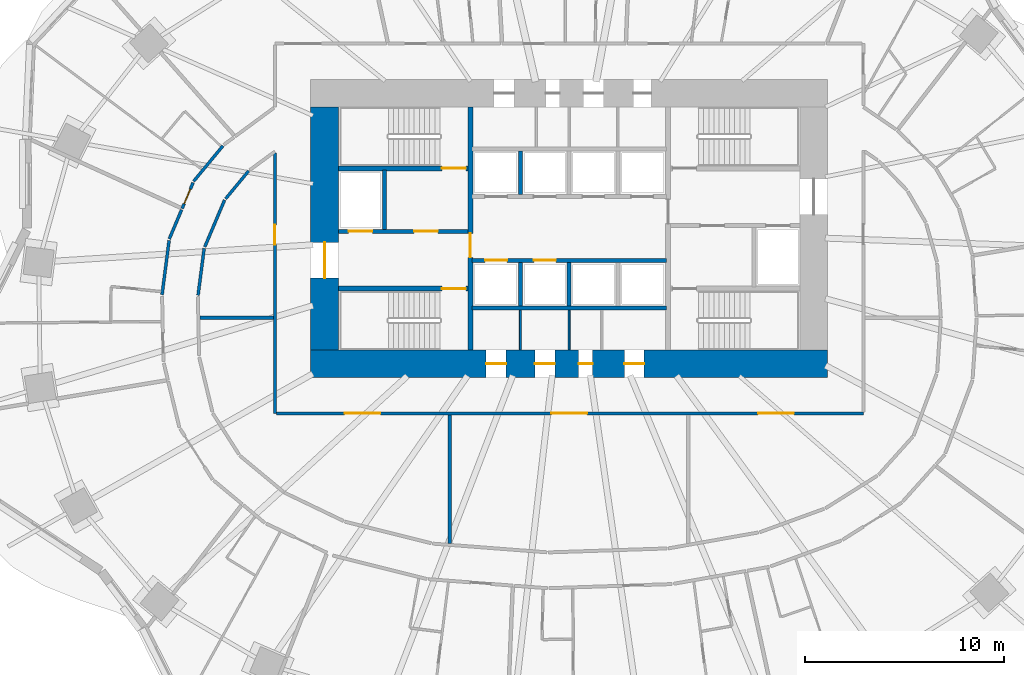
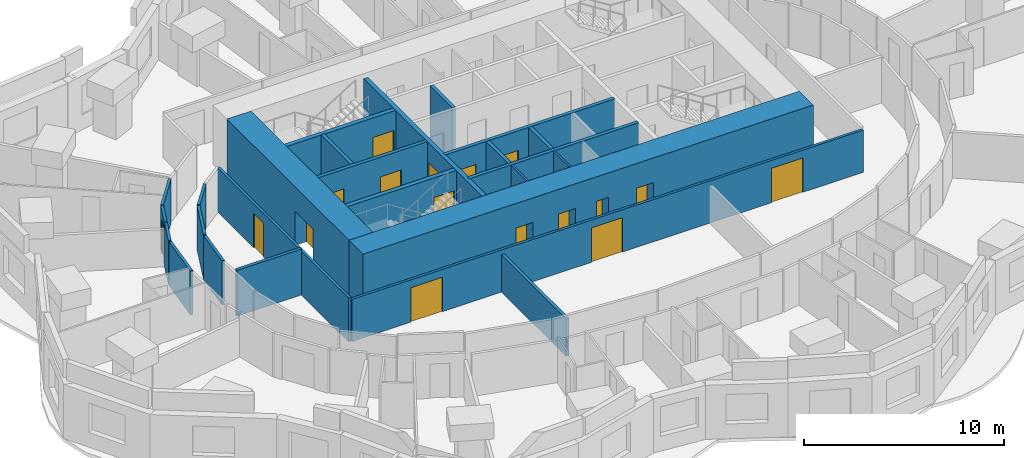
# One storey, part 5 of 12: 25 walls, 17 doors, 17 openings.
"""IFC4 building model written with IfcOpenShell, lengths in metres."""

import ifcopenshell
import ifcopenshell.guid

model = None  # the IFC model being written
_history = None  # IfcOwnerHistory: only IFC2X3 demands one
_inside = {}  # id of a spatial element -> (the spatial element, [elements in it])
_under = {}  # id of a project, library or spatial element -> (it, [spatial elements below it])
_declared = {}  # id of a project -> (the project, [libraries it declares])
_typed = {}  # id of a type object -> (the type object, [elements of that type])
_made_of = {}  # id of a material, layer set ... -> (it, [elements and type objects made of it])


def new_model(schema):
    """Start an empty IFC model of exactly this schema.

    Asked for "IFC4X3", IfcOpenShell would pick the latest addendum, in which some entities
    have other attributes; the version numbers below select the first issue.
    IFC2X3 requires an IfcOwnerHistory on every rooted entity: one is made here for all.
    """
    global model, _history
    if schema == "IFC4X3":
        model = ifcopenshell.file(schema_version=(4, 3, 0, 0))
    else:
        model = ifcopenshell.file(schema=schema)
    _inside.clear()
    _under.clear()
    _declared.clear()
    _typed.clear()
    _made_of.clear()
    _history = None
    if model.schema == "IFC2X3":
        org = make("IfcOrganization", Name="unknown")
        user = make(
            "IfcPersonAndOrganization",
            ThePerson=make("IfcPerson", FamilyName="unknown"),
            TheOrganization=org,
        )
        app = make(
            "IfcApplication",
            ApplicationDeveloper=org,
            Version="unknown",
            ApplicationFullName="unknown",
            ApplicationIdentifier="unknown",
        )
        _history = make(
            "IfcOwnerHistory",
            OwningUser=user,
            OwningApplication=app,
            ChangeAction="ADDED",
            CreationDate=0,
        )
    return model


def make(cls, **values):
    """One entity of the class cls with the attributes given. An attribute that is None is left unset."""
    return model.create_entity(
        cls, **{name: value for name, value in values.items() if value is not None}
    )


def rooted(cls, **values):
    """An entity with a GlobalId (a new one), such as an element, a storey or a relation."""
    return make(cls, GlobalId=ifcopenshell.guid.new(), OwnerHistory=_history, **values)


def si_unit(unit_type, name, prefix=None):
    """IfcSIUnit, for example si_unit("LENGTHUNIT", "METRE", prefix="MILLI")."""
    return make("IfcSIUnit", UnitType=unit_type, Prefix=prefix, Name=name)


def assignment(units):
    """IfcUnitAssignment: the units of a project."""
    return None if units is None else make("IfcUnitAssignment", Units=units)


def point(xyz):
    """IfcCartesianPoint."""
    return None if xyz is None else make("IfcCartesianPoint", Coordinates=xyz)


def direction(xyz):
    """IfcDirection."""
    return None if xyz is None else make("IfcDirection", DirectionRatios=xyz)


def frame(location, z_axis=None, x_axis=None):
    """IfcAxis2Placement3D, a coordinate frame: its origin and axes. An axis left out is left unset."""
    return make(
        "IfcAxis2Placement3D",
        Location=point(location),
        Axis=direction(z_axis),
        RefDirection=direction(x_axis),
    )


def frame_2d(location, x_axis=None):
    """IfcAxis2Placement2D, a coordinate frame in the plane: its origin and x axis."""
    return make(
        "IfcAxis2Placement2D", Location=point(location), RefDirection=direction(x_axis)
    )


def origin():
    """The frame at (0, 0, 0) with its axes left unset."""
    return frame((0.0, 0.0, 0.0))


def place(relative_to, where):
    """IfcLocalPlacement: puts the frame where relative to a parent placement (None: the world)."""
    return make(
        "IfcLocalPlacement", PlacementRelTo=relative_to, RelativePlacement=where
    )


def context(
    kind, dimensions, precision=None, world=None, true_north=None, identifier=None
):
    """IfcGeometricRepresentationContext, for example the 3D "Model" context."""
    return make(
        "IfcGeometricRepresentationContext",
        ContextIdentifier=identifier,
        ContextType=kind,
        CoordinateSpaceDimension=dimensions,
        Precision=precision,
        WorldCoordinateSystem=world,
        TrueNorth=true_north,
    )


def subcontext(parent, identifier, kind, view, scale=None):
    """IfcGeometricRepresentationSubContext, for example "Body" below "Model"."""
    return make(
        "IfcGeometricRepresentationSubContext",
        ContextIdentifier=identifier,
        ContextType=kind,
        ParentContext=parent,
        TargetScale=scale,
        TargetView=view,
    )


def project(units=None, contexts=None):
    """IfcProject with its units and contexts."""
    return rooted(
        "IfcProject",
        Name="project",
        RepresentationContexts=contexts,
        UnitsInContext=assignment(units),
    )


def spatial(cls, under=None, at=None, **own):
    """A site, building, storey or space (cls), placed at a placement, below another one or the project."""
    s = rooted(cls, ObjectPlacement=at, **own)
    if under is not None:
        _under.setdefault(under.id(), (under, []))[1].append(s)
    return s


def profile(cls, at=None, kind="AREA", **sizes):
    """A parametric profile (cls). Its sizes go by their IFC names, for example OverallWidth=200.0."""
    return make(cls, ProfileType=kind, Position=at, **sizes)


def rectangle(**sizes):
    """IfcRectangleProfileDef."""
    return profile("IfcRectangleProfileDef", **sizes)


def extrude(swept, where, along, depth):
    """IfcExtrudedAreaSolid: the profile swept, set in the frame where, extruded along a direction by depth."""
    return make(
        "IfcExtrudedAreaSolid",
        SweptArea=swept,
        Position=where,
        ExtrudedDirection=direction(along),
        Depth=depth,
    )


def shape(context_of_items, identifier, shape_type, items):
    """IfcShapeRepresentation: the items that make up one representation, for example the "Body"."""
    return make(
        "IfcShapeRepresentation",
        ContextOfItems=context_of_items,
        RepresentationIdentifier=identifier,
        RepresentationType=shape_type,
        Items=items,
    )


def material(Name=None, Category=None):
    """IfcMaterial."""
    return make("IfcMaterial", Name=Name, Category=Category)


def layer(
    of_material, thickness, ventilated=None, Name=None, Category=None, Priority=None
):
    """IfcMaterialLayer: one layer of a wall or slab, of a material (None: an air gap)."""
    return make(
        "IfcMaterialLayer",
        Material=of_material,
        LayerThickness=thickness,
        IsVentilated=ventilated,
        Name=Name,
        Category=Category,
        Priority=Priority,
    )


def layer_set(layers, Name=None):
    """IfcMaterialLayerSet."""
    return make("IfcMaterialLayerSet", MaterialLayers=layers, LayerSetName=Name)


def made_of(thing, what):
    """Note that an element or type object is made of a material, layer set ...; save() writes the relation."""
    if what is not None:
        _made_of.setdefault(what.id(), (what, []))[1].append(thing)
    return thing


def type_object(cls, material=None, **own):
    """A type object (cls), such as IfcWallType, which elements share."""
    return made_of(rooted(cls, **own), material)


def element(
    cls,
    number,
    at=None,
    inside=None,
    cuts=None,
    type_object=None,
    material=None,
    context=None,
    identifier="Body",
    shape_type=None,
    held_by="IfcProductDefinitionShape",
    body=None,
    shapes=None,
    **own,
):
    """One element of the class cls, such as IfcWall. Its Tag is "e" and its number.

    at: its placement. inside: the storey or other place that contains it. cuts: it is an
    opening in that element (IfcRelVoidsElement). A single representation is given by context,
    identifier, shape_type and body (its items); several are given by shapes. held_by: the class
    of the entity that holds the representations. save() writes the other relations.
    """
    e = rooted(cls, Tag="e%d" % number, ObjectPlacement=at, **own)
    if body is not None:
        shapes = [shape(context, identifier, shape_type, body)]
    if shapes is not None:
        e.Representation = make(held_by, Representations=shapes)
    if inside is not None:
        _inside.setdefault(inside.id(), (inside, []))[1].append(e)
    if cuts is not None:
        rooted(
            "IfcRelVoidsElement", RelatingBuildingElement=cuts, RelatedOpeningElement=e
        )
    if type_object is not None:
        _typed.setdefault(type_object.id(), (type_object, []))[1].append(e)
    return made_of(e, material)


def fill(opening, filler):
    """IfcRelFillsElement: the door or window that sits in an opening."""
    return rooted(
        "IfcRelFillsElement",
        RelatingOpeningElement=opening,
        RelatedBuildingElement=filler,
    )


def aggregate(whole, parts):
    """IfcRelAggregates: a whole, such as a stair, and the parts it consists of."""
    return rooted("IfcRelAggregates", RelatingObject=whole, RelatedObjects=parts)


def save(model, path):
    """Write the relations noted so far, then the file.

    IfcRelAggregates (storeys below a building ...), IfcRelContainedInSpatialStructure (elements
    in a storey), IfcRelDefinesByType, IfcRelAssociatesMaterial and IfcRelDeclares: one each for
    every whole, place, type object, material and project.
    """
    for whole, parts in _under.values():
        aggregate(whole, parts)
    for where, things in _inside.values():
        rooted(
            "IfcRelContainedInSpatialStructure",
            RelatedElements=things,
            RelatingStructure=where,
        )
    for kind, things in _typed.values():
        rooted("IfcRelDefinesByType", RelatedObjects=things, RelatingType=kind)
    for what, things in _made_of.values():
        rooted("IfcRelAssociatesMaterial", RelatedObjects=things, RelatingMaterial=what)
    for by, libraries in _declared.values():
        rooted("IfcRelDeclares", RelatingContext=by, RelatedDefinitions=libraries)
    model.write(path)


model = new_model("IFC4")

# Units and contexts
model_context = context("Model", 3, precision=1e-05, world=origin(), true_north=direction((0.0, 1.0)))
body_context = subcontext(model_context, "Body", "Model", "MODEL_VIEW")
ifc_project = project(units=[si_unit("LENGTHUNIT", "METRE"), si_unit("AREAUNIT", "SQUARE_METRE"), si_unit("VOLUMEUNIT", "CUBIC_METRE"), si_unit("PLANEANGLEUNIT", "RADIAN"), si_unit("MASSUNIT", "GRAM", prefix="KILO")], contexts=[model_context])

# Site, building, storey
site_placement = place(None, origin())
site = spatial("IfcSite", under=ifc_project, at=site_placement, CompositionType="ELEMENT")
building_placement = place(site_placement, origin())
building = spatial("IfcBuilding", under=site, at=building_placement, Name="Rubra Terraces Tower", CompositionType="ELEMENT")
storey_placement = place(building_placement, frame((0.0, 0.0, 73.5)))
storey = spatial("IfcBuildingStorey", under=building, at=storey_placement, Name="L16", CompositionType="ELEMENT", Elevation=73.5)

# Walls
ifc_material_1 = material(Name="Twin plasterboard on staggered steel stud, acoustic mineral wool", Category="steel")
ifc_layer_1 = layer(ifc_material_1, 0.175048828125)
ifc_layer_set_1 = layer_set([ifc_layer_1], Name="Twin plasterboard on staggered steel stud, acoustic mineral wool")
wall_type_1 = type_object("IfcWallType", Name="ACOUSTIC PARTY WALL 175", PredefinedType="PARTITIONING", material=ifc_layer_set_1)
wall_1_placement = place(storey_placement, frame((-18.578857421875, 0.0, 0.0), z_axis=(0.0, 0.0, 1.0), x_axis=(1.0, 0.0, 0.0)))
element("IfcWall", 1, at=wall_1_placement, inside=storey, type_object=wall_type_1, Name="PARTITION", PredefinedType="PARTITIONING", context=body_context, shape_type="SweptSolid", body=[
    extrude(rectangle(XDim=3.703857421875, YDim=0.175048828125, at=frame_2d((1.85205078125, 0.0))), origin(), (0.0, 0.0, 1.0), 2.798095703125),
])
ifc_layer_2 = layer(ifc_material_1, 0.175048828125)
ifc_layer_set_2 = layer_set([ifc_layer_2], Name="Twin plasterboard on staggered steel stud, acoustic mineral wool")
wall_type_2 = type_object("IfcWallType", Name="ACOUSTIC PARTY WALL 175 LOW HEAD", PredefinedType="PARTITIONING", material=ifc_layer_set_2)
wall_2_placement = place(storey_placement, frame((-6.0, -11.339599609375, 0.0), z_axis=(0.0, 0.0, 1.0), x_axis=(0.0, 1.0, 0.0)))
element("IfcWall", 2, at=wall_2_placement, inside=storey, type_object=wall_type_2, Name="PARTITION", PredefinedType="PARTITIONING", context=body_context, shape_type="SweptSolid", body=[
    extrude(rectangle(XDim=6.464599609375, YDim=0.175048828125, at=frame_2d((3.232421875, 0.0))), origin(), (0.0, 0.0, 1.0), 2.280029296875),
])

# Wall, openings, doors
ifc_material_2 = material(Name="Concrete C70", Category="concrete")
ifc_layer_3 = layer(ifc_material_2, 1.39990234375)
ifc_layer_set_3 = layer_set([ifc_layer_3], Name="Concrete C70")
wall_type_3 = type_object("IfcWallType", Name="CORE WALL 1400 C70", PredefinedType="SHEAR", material=ifc_layer_set_3)
wall_3_placement = place(storey_placement, frame((-13.0, -2.300048828125, 0.0), z_axis=(0.0, 0.0, 1.0), x_axis=(1.0, 0.0, 0.0)))
wall_3 = element("IfcWall", 3, at=wall_3_placement, inside=storey, type_object=wall_type_3, Name="CORE WALL S L16", PredefinedType="SHEAR", context=body_context, shape_type="SweptSolid", body=[
    extrude(rectangle(XDim=26.0, YDim=1.39990234375, at=frame_2d((13.0, 0.0))), origin(), (0.0, 0.0, 1.0), 3.60009765625),
])
opening_1_placement = place(wall_3_placement, frame((8.824951171875, 0.0, 0.0)))
opening_1 = element("IfcOpeningElement", 4, at=opening_1_placement, cuts=wall_3, Name="Opening L16.C19", PredefinedType="OPENING", context=body_context, shape_type="SweptSolid", body=[
    extrude(rectangle(XDim=1.0, YDim=2.10009765625, at=frame_2d((0.5, 1.050048828125))), frame((0.0, 0.7099609375, 0.0), z_axis=(0.0, -1.0, 0.0), x_axis=(1.0, 0.0, 0.0)), (0.0, 0.0, 1.0), 1.419921875),
])
opening_2_placement = place(wall_3_placement, frame((11.27490234375, 0.0, 0.0)))
opening_2 = element("IfcOpeningElement", 5, at=opening_2_placement, cuts=wall_3, Name="Opening L16.C20", PredefinedType="OPENING", context=body_context, shape_type="SweptSolid", body=[
    extrude(rectangle(XDim=1.0, YDim=2.10009765625, at=frame_2d((0.5, 1.050048828125))), frame((0.0, 0.7099609375, 0.0), z_axis=(0.0, -1.0, 0.0), x_axis=(1.0, 0.0, 0.0)), (0.0, 0.0, 1.0), 1.419921875),
])
opening_3_placement = place(wall_3_placement, frame((13.47509765625, 0.0, 0.0)))
opening_3 = element("IfcOpeningElement", 6, at=opening_3_placement, cuts=wall_3, Name="Opening L16.C21", PredefinedType="OPENING", context=body_context, shape_type="SweptSolid", body=[
    extrude(rectangle(XDim=0.699951171875, YDim=2.10009765625, at=frame_2d((0.35009765625, 1.050048828125))), frame((0.0, 0.7099609375, 0.0), z_axis=(0.0, -1.0, 0.0), x_axis=(1.0, 0.0, 0.0)), (0.0, 0.0, 1.0), 1.419921875),
])
opening_4_placement = place(wall_3_placement, frame((15.77490234375, 0.0, 0.0)))
opening_4 = element("IfcOpeningElement", 7, at=opening_4_placement, cuts=wall_3, Name="Opening L16.C22", PredefinedType="OPENING", context=body_context, shape_type="SweptSolid", body=[
    extrude(rectangle(XDim=1.0, YDim=2.10009765625, at=frame_2d((0.5, 1.050048828125))), frame((0.0, 0.7099609375, 0.0), z_axis=(0.0, -1.0, 0.0), x_axis=(1.0, 0.0, 0.0)), (0.0, 0.0, 1.0), 1.419921875),
])
ifc_material_3 = material(Name="Painted steel", Category="steel")
door_type_1 = type_object("IfcDoorType", Name="Fire door 1000x2100 single", OperationType="NOTDEFINED", PredefinedType="DOOR", material=ifc_material_3)
door_1_placement = place(opening_1_placement, origin())
door_1 = element("IfcDoor", 8, at=door_1_placement, inside=storey, type_object=door_type_1, Name="Guest pantry door", OperationType="SINGLE_SWING_LEFT", OverallHeight=2.10009765625, OverallWidth=1.0, PredefinedType="DOOR", context=body_context, shape_type="SweptSolid", body=[
    extrude(rectangle(XDim=1.0, YDim=2.10009765625, at=frame_2d((0.5, 1.050048828125))), frame((0.0, 0.02490234375, 0.0), z_axis=(0.0, -1.0, 0.0), x_axis=(1.0, 0.0, 0.0)), (0.0, 0.0, 1.0), 0.050048828125),
])
fill(opening_1, door_1)
door_2_placement = place(opening_2_placement, origin())
door_2 = element("IfcDoor", 9, at=door_2_placement, inside=storey, type_object=door_type_1, Name="Linen store door", OperationType="SINGLE_SWING_RIGHT", OverallHeight=2.10009765625, OverallWidth=1.0, PredefinedType="DOOR", context=body_context, shape_type="SweptSolid", body=[
    extrude(rectangle(XDim=1.0, YDim=2.10009765625, at=frame_2d((0.5, 1.050048828125))), frame((0.0, 0.02490234375, 0.0), z_axis=(0.0, -1.0, 0.0), x_axis=(1.0, 0.0, 0.0)), (0.0, 0.0, 1.0), 0.050048828125),
])
fill(opening_2, door_2)
door_3_placement = place(opening_4_placement, origin())
door_3 = element("IfcDoor", 10, at=door_3_placement, inside=storey, type_object=door_type_1, Name="Housekeeping store door", OperationType="SINGLE_SWING_RIGHT", OverallHeight=2.10009765625, OverallWidth=1.0, PredefinedType="DOOR", context=body_context, shape_type="SweptSolid", body=[
    extrude(rectangle(XDim=1.0, YDim=2.10009765625, at=frame_2d((0.5, 1.050048828125))), frame((0.0, 0.02490234375, 0.0), z_axis=(0.0, -1.0, 0.0), x_axis=(1.0, 0.0, 0.0)), (0.0, 0.0, 1.0), 0.050048828125),
])
fill(opening_4, door_3)
door_type_2 = type_object("IfcDoorType", Name="Riser access door 700x2100 single", OperationType="NOTDEFINED", PredefinedType="DOOR", material=ifc_material_3)
door_4_placement = place(opening_3_placement, origin())
door_4 = element("IfcDoor", 11, at=door_4_placement, inside=storey, type_object=door_type_2, Name="Electrical riser room door", OperationType="SINGLE_SWING_LEFT", OverallHeight=2.10009765625, OverallWidth=0.699951171875, PredefinedType="DOOR", context=body_context, shape_type="SweptSolid", body=[
    extrude(rectangle(XDim=0.699951171875, YDim=2.10009765625, at=frame_2d((0.35009765625, 1.050048828125))), frame((0.0, 0.02490234375, 0.0), z_axis=(0.0, -1.0, 0.0), x_axis=(1.0, 0.0, 0.0)), (0.0, 0.0, 1.0), 0.050048828125),
])
fill(opening_3, door_4)

# Wall, opening, door
wall_4_placement = place(storey_placement, frame((-12.300048828125, -1.60009765625, 0.0), z_axis=(0.0, 0.0, 1.0), x_axis=(0.0, 1.0, 0.0)))
wall_4 = element("IfcWall", 12, at=wall_4_placement, inside=storey, type_object=wall_type_3, Name="CORE WALL W L16", PredefinedType="SHEAR", context=body_context, shape_type="SweptSolid", body=[
    extrude(rectangle(XDim=12.2001953125, YDim=1.39990234375, at=frame_2d((6.10009765625, 0.0))), origin(), (0.0, 0.0, 1.0), 3.60009765625),
])
opening_5_placement = place(wall_4_placement, frame((3.60009765625, 0.0, 0.0)))
opening_5 = element("IfcOpeningElement", 13, at=opening_5_placement, cuts=wall_4, Name="Opening L16.C01", PredefinedType="OPENING", context=body_context, shape_type="SweptSolid", body=[
    extrude(rectangle(XDim=1.800048828125, YDim=2.10009765625, at=frame_2d((0.89990234375, 1.050048828125))), frame((0.0, 0.7099609375, 0.0), z_axis=(0.0, -1.0, 0.0), x_axis=(1.0, 0.0, 0.0)), (0.0, 0.0, 1.0), 1.419921875),
])
door_type_3 = type_object("IfcDoorType", Name="Fire door 1800x2100 double", OperationType="NOTDEFINED", PredefinedType="DOOR", material=ifc_material_3)
door_5_placement = place(opening_5_placement, origin())
door_5 = element("IfcDoor", 14, at=door_5_placement, inside=storey, type_object=door_type_3, Name="Core entrance door FF1", OperationType="DOUBLE_DOOR_SINGLE_SWING", OverallHeight=2.10009765625, OverallWidth=1.800048828125, PredefinedType="DOOR", context=body_context, shape_type="SweptSolid", body=[
    extrude(rectangle(XDim=1.800048828125, YDim=2.10009765625, at=frame_2d((0.89990234375, 1.050048828125))), frame((0.0, 0.02490234375, 0.0), z_axis=(0.0, -1.0, 0.0), x_axis=(1.0, 0.0, 0.0)), (0.0, 0.0, 1.0), 0.050048828125),
])
fill(opening_5, door_5)

# Wall
ifc_material_4 = material(Name="Plasterboard on steel stud, mineral wool infill", Category="steel")
ifc_layer_4 = layer(ifc_material_4, 0.14990234375)
ifc_layer_set_4 = layer_set([ifc_layer_4], Name="Plasterboard on steel stud, mineral wool infill")
wall_type_4 = type_object("IfcWallType", Name="CORRIDOR PARTITION 150", PredefinedType="PARTITIONING", material=ifc_layer_set_4)
wall_5_placement = place(storey_placement, frame((-17.416015625, 8.65869140625, 0.0), z_axis=(0.0, 0.0, 1.0), x_axis=(-0.636865073139, -0.770975277564, 0.0)))
element("IfcWall", 15, at=wall_5_placement, inside=storey, type_object=wall_type_4, Name="PARTITION", PredefinedType="PARTITIONING", context=body_context, shape_type="SweptSolid", body=[
    extrude(rectangle(XDim=2.31201171875, YDim=0.14990234375, at=frame_2d((1.156005859375, 0.0))), origin(), (0.0, 0.0, 1.0), 2.68408203125),
])

# Wall, opening, door
wall_6_placement = place(storey_placement, frame((-18.917724609375, 6.80712890625, 0.0), z_axis=(0.0, 0.0, 1.0), x_axis=(-0.389115481404, -0.921188982854, 0.0)))
wall_6 = element("IfcWall", 16, at=wall_6_placement, inside=storey, type_object=wall_type_4, Name="PARTITION", PredefinedType="PARTITIONING", context=body_context, shape_type="SweptSolid", body=[
    extrude(rectangle(XDim=1.412353515625, YDim=0.14990234375, at=frame_2d((0.7060546875, 0.0))), origin(), (0.0, 0.0, 1.0), 2.68408203125),
])
opening_6_placement = place(wall_6_placement, frame((0.35009765625, 0.0, 0.0)))
opening_6 = element("IfcOpeningElement", 17, at=opening_6_placement, cuts=wall_6, Name="Opening 16-145", PredefinedType="OPENING", context=body_context, shape_type="SweptSolid", body=[
    extrude(rectangle(XDim=0.800048828125, YDim=2.10009765625, at=frame_2d((0.39990234375, 1.050048828125))), frame((0.0, 0.0849609375, 0.0), z_axis=(0.0, -1.0, 0.0), x_axis=(1.0, 0.0, 0.0)), (0.0, 0.0, 1.0), 0.169921875),
])
ifc_material_5 = material(Name="Painted timber door leaf", Category="wood")
door_type_4 = type_object("IfcDoorType", Name="BATHROOM DOOR 800 X 2100", OperationType="SINGLE_SWING_LEFT", PredefinedType="DOOR", material=ifc_material_5)
door_6_placement = place(opening_6_placement, origin())
door_6 = element("IfcDoor", 18, at=door_6_placement, inside=storey, type_object=door_type_4, Name="DOOR 16-145", OperationType="SINGLE_SWING_RIGHT", OverallHeight=2.10009765625, OverallWidth=0.800048828125, PredefinedType="DOOR", context=body_context, shape_type="SweptSolid", body=[
    extrude(rectangle(XDim=0.800048828125, YDim=2.10009765625, at=frame_2d((0.39990234375, 1.050048828125))), frame((0.0, 0.02490234375, 0.0), z_axis=(0.0, -1.0, 0.0), x_axis=(1.0, 0.0, 0.0)), (0.0, 0.0, 1.0), 0.050048828125),
])
fill(opening_6, door_6)

# Walls
wall_7_placement = place(storey_placement, frame((-19.49658203125, 5.43701171875, 0.0), z_axis=(0.0, 0.0, 1.0), x_axis=(-0.389131954688, -0.921182024271, 0.0)))
element("IfcWall", 19, at=wall_7_placement, inside=storey, type_object=wall_type_4, Name="PARTITION", PredefinedType="PARTITIONING", context=body_context, shape_type="SweptSolid", body=[
    extrude(rectangle(XDim=1.58349609375, YDim=0.14990234375, at=frame_2d((0.791748046875, 0.0))), origin(), (0.0, 0.0, 1.0), 2.68408203125),
])
wall_8_placement = place(storey_placement, frame((-20.12255859375, 3.90380859375, 0.0), z_axis=(0.0, 0.0, 1.0), x_axis=(-0.128964810526, -0.991649170648, 0.0)))
element("IfcWall", 20, at=wall_8_placement, inside=storey, type_object=wall_type_4, Name="PARTITION", PredefinedType="PARTITIONING", context=body_context, shape_type="SweptSolid", body=[
    extrude(rectangle(XDim=2.760009765625, YDim=0.14990234375, at=frame_2d((1.3798828125, 0.0))), origin(), (0.0, 0.0, 1.0), 2.68408203125),
])
wall_9_placement = place(storey_placement, frame((-18.66650390625, 1.143310546875, 0.0), z_axis=(0.0, 0.0, 1.0), x_axis=(0.128944484332, 0.991651813874, 0.0)))
element("IfcWall", 21, at=wall_9_placement, inside=storey, type_object=wall_type_4, Name="PARTITION", PredefinedType="PARTITIONING", context=body_context, shape_type="SweptSolid", body=[
    extrude(rectangle(XDim=2.3798828125, YDim=0.14990234375, at=frame_2d((1.18994140625, 0.0))), origin(), (0.0, 0.0, 1.0), 2.68408203125),
])
wall_10_placement = place(storey_placement, frame((-18.330322265625, 3.572509765625, 0.0), z_axis=(0.0, 0.0, 1.0), x_axis=(0.389176861346, 0.921163053207, 0.0)))
element("IfcWall", 22, at=wall_10_placement, inside=storey, type_object=wall_type_4, Name="PARTITION", PredefinedType="PARTITIONING", context=body_context, shape_type="SweptSolid", body=[
    extrude(rectangle(XDim=2.562744140625, YDim=0.14990234375, at=frame_2d((1.28125, 0.0))), origin(), (0.0, 0.0, 1.0), 2.68408203125),
])
wall_11_placement = place(storey_placement, frame((-17.28515625, 5.99072265625, 0.0), z_axis=(0.0, 0.0, 1.0), x_axis=(0.636877992195, 0.770964605581, 0.0)))
element("IfcWall", 23, at=wall_11_placement, inside=storey, type_object=wall_type_4, Name="PARTITION", PredefinedType="PARTITIONING", context=body_context, shape_type="SweptSolid", body=[
    extrude(rectangle(XDim=1.826171875, YDim=0.14990234375, at=frame_2d((0.9130859375, 0.0))), origin(), (0.0, 0.0, 1.0), 2.68408203125),
])

# Wall, opening, door
wall_12_placement = place(storey_placement, frame((-14.800048828125, 8.297119140625, 0.0), z_axis=(0.0, 0.0, 1.0), x_axis=(0.0, -1.0, 0.0)))
wall_12 = element("IfcWall", 24, at=wall_12_placement, inside=storey, type_object=wall_type_4, Name="PARTITION", PredefinedType="PARTITIONING", context=body_context, shape_type="SweptSolid", body=[
    extrude(rectangle(XDim=13.09716796875, YDim=0.14990234375, at=frame_2d((6.548583984375, 0.0))), origin(), (0.0, 0.0, 1.0), 2.68408203125),
])
opening_7_placement = place(wall_12_placement, frame((3.611083984375, 0.0, 0.0)))
opening_7 = element("IfcOpeningElement", 25, at=opening_7_placement, cuts=wall_12, Name="Opening 16-140", PredefinedType="OPENING", context=body_context, shape_type="SweptSolid", body=[
    extrude(rectangle(XDim=1.0, YDim=2.10009765625, at=frame_2d((0.5, 1.050048828125))), frame((0.0, 0.0849609375, 0.0), z_axis=(0.0, -1.0, 0.0), x_axis=(1.0, 0.0, 0.0)), (0.0, 0.0, 1.0), 0.169921875),
])
door_type_5 = type_object("IfcDoorType", Name="ROOM DOOR 1000 X 2100", OperationType="SINGLE_SWING_LEFT", PredefinedType="DOOR", material=ifc_material_5)
door_7_placement = place(opening_7_placement, origin())
door_7 = element("IfcDoor", 26, at=door_7_placement, inside=storey, type_object=door_type_5, Name="DOOR 16-140", OperationType="SINGLE_SWING_RIGHT", OverallHeight=2.10009765625, OverallWidth=1.0, PredefinedType="DOOR", context=body_context, shape_type="SweptSolid", body=[
    extrude(rectangle(XDim=1.0, YDim=2.10009765625, at=frame_2d((0.5, 1.050048828125))), frame((0.0, 0.02490234375, 0.0), z_axis=(0.0, -1.0, 0.0), x_axis=(1.0, 0.0, 0.0)), (0.0, 0.0, 1.0), 0.050048828125),
])
fill(opening_7, door_7)

# Wall, openings, doors
ifc_layer_5 = layer(ifc_material_4, 0.14990234375)
ifc_layer_set_5 = layer_set([ifc_layer_5], Name="Plasterboard on steel stud, mineral wool infill")
wall_type_5 = type_object("IfcWallType", Name="CORRIDOR PARTITION 150 LOW HEAD", PredefinedType="PARTITIONING", material=ifc_layer_set_5)
wall_13_placement = place(storey_placement, frame((-14.72509765625, -4.800048828125, 0.0), z_axis=(0.0, 0.0, 1.0), x_axis=(1.0, 0.0, 0.0)))
wall_13 = element("IfcWall", 27, at=wall_13_placement, inside=storey, type_object=wall_type_5, Name="PARTITION", PredefinedType="PARTITIONING", context=body_context, shape_type="SweptSolid", body=[
    extrude(rectangle(XDim=29.525146484375, YDim=0.14990234375, at=frame_2d((14.7626953125, 0.0))), origin(), (0.0, 0.0, 1.0), 2.580078125),
])
opening_8_placement = place(wall_13_placement, frame((3.425048828125, 0.0, 0.0)))
opening_8 = element("IfcOpeningElement", 28, at=opening_8_placement, cuts=wall_13, Name="Opening 16-141", PredefinedType="OPENING", context=body_context, shape_type="SweptSolid", body=[
    extrude(rectangle(XDim=1.800048828125, YDim=2.10009765625, at=frame_2d((0.89990234375, 1.050048828125))), frame((0.0, 0.0849609375, 0.0), z_axis=(0.0, -1.0, 0.0), x_axis=(1.0, 0.0, 0.0)), (0.0, 0.0, 1.0), 0.169921875),
])
opening_9_placement = place(wall_13_placement, frame((13.824951171875, 0.0, 0.0)))
opening_9 = element("IfcOpeningElement", 29, at=opening_9_placement, cuts=wall_13, Name="Opening 16-142", PredefinedType="OPENING", context=body_context, shape_type="SweptSolid", body=[
    extrude(rectangle(XDim=1.800048828125, YDim=2.10009765625, at=frame_2d((0.89990234375, 1.050048828125))), frame((0.0, 0.0849609375, 0.0), z_axis=(0.0, -1.0, 0.0), x_axis=(1.0, 0.0, 0.0)), (0.0, 0.0, 1.0), 0.169921875),
])
opening_10_placement = place(wall_13_placement, frame((24.22509765625, 0.0, 0.0)))
opening_10 = element("IfcOpeningElement", 30, at=opening_10_placement, cuts=wall_13, Name="Opening 16-143", PredefinedType="OPENING", context=body_context, shape_type="SweptSolid", body=[
    extrude(rectangle(XDim=1.800048828125, YDim=2.10009765625, at=frame_2d((0.89990234375, 1.050048828125))), frame((0.0, 0.0849609375, 0.0), z_axis=(0.0, -1.0, 0.0), x_axis=(1.0, 0.0, 0.0)), (0.0, 0.0, 1.0), 0.169921875),
])
ifc_material_6 = material(Name="Painted timber door leaf, double", Category="wood")
door_type_6 = type_object("IfcDoorType", Name="ROOM DOUBLE DOOR 1800 X 2100", OperationType="DOUBLE_DOOR_SINGLE_SWING", PredefinedType="DOOR", material=ifc_material_6)
door_8_placement = place(opening_8_placement, origin())
door_8 = element("IfcDoor", 31, at=door_8_placement, inside=storey, type_object=door_type_6, Name="DOOR 16-141", OperationType="DOUBLE_DOOR_SINGLE_SWING", OverallHeight=2.10009765625, OverallWidth=1.800048828125, PredefinedType="DOOR", context=body_context, shape_type="SweptSolid", body=[
    extrude(rectangle(XDim=1.800048828125, YDim=2.10009765625, at=frame_2d((0.89990234375, 1.050048828125))), frame((0.0, 0.02490234375, 0.0), z_axis=(0.0, -1.0, 0.0), x_axis=(1.0, 0.0, 0.0)), (0.0, 0.0, 1.0), 0.050048828125),
])
fill(opening_8, door_8)
door_9_placement = place(opening_9_placement, origin())
door_9 = element("IfcDoor", 32, at=door_9_placement, inside=storey, type_object=door_type_6, Name="DOOR 16-142", OperationType="DOUBLE_DOOR_SINGLE_SWING", OverallHeight=2.10009765625, OverallWidth=1.800048828125, PredefinedType="DOOR", context=body_context, shape_type="SweptSolid", body=[
    extrude(rectangle(XDim=1.800048828125, YDim=2.10009765625, at=frame_2d((0.89990234375, 1.050048828125))), frame((0.0, 0.02490234375, 0.0), z_axis=(0.0, -1.0, 0.0), x_axis=(1.0, 0.0, 0.0)), (0.0, 0.0, 1.0), 0.050048828125),
])
fill(opening_9, door_9)
door_10_placement = place(opening_10_placement, origin())
door_10 = element("IfcDoor", 33, at=door_10_placement, inside=storey, type_object=door_type_6, Name="DOOR 16-143", OperationType="DOUBLE_DOOR_SINGLE_SWING", OverallHeight=2.10009765625, OverallWidth=1.800048828125, PredefinedType="DOOR", context=body_context, shape_type="SweptSolid", body=[
    extrude(rectangle(XDim=1.800048828125, YDim=2.10009765625, at=frame_2d((0.89990234375, 1.050048828125))), frame((0.0, 0.02490234375, 0.0), z_axis=(0.0, -1.0, 0.0), x_axis=(1.0, 0.0, 0.0)), (0.0, 0.0, 1.0), 0.050048828125),
])
fill(opening_10, door_10)

ifc_material_7 = material(Name="Concrete C30", Category="concrete")
ifc_layer_6 = layer(ifc_material_7, 0.199951171875)
ifc_layer_set_6 = layer_set([ifc_layer_6], Name="Concrete C30")
wall_type_6 = type_object("IfcWallType", Name="Core wall 200 concrete", PredefinedType="SOLIDWALL", material=ifc_layer_set_6)
wall_14_placement = place(storey_placement, frame((-11.60009765625, 4.35009765625, 0.0), z_axis=(0.0, 0.0, 1.0), x_axis=(1.0, 0.0, 0.0)))
wall_14 = element("IfcWall", 34, at=wall_14_placement, inside=storey, type_object=wall_type_6, Name="STAIR WALL L16", PredefinedType="SOLIDWALL", context=body_context, shape_type="SweptSolid", body=[
    extrude(rectangle(XDim=6.5, YDim=0.199951171875, at=frame_2d((3.25, 0.0))), origin(), (0.0, 0.0, 1.0), 3.300048828125),
])
opening_11_placement = place(wall_14_placement, frame((3.800048828125, 0.0, 0.0)))
opening_11 = element("IfcOpeningElement", 35, at=opening_11_placement, cuts=wall_14, Name="Opening L16.C05", PredefinedType="OPENING", context=body_context, shape_type="SweptSolid", body=[
    extrude(rectangle(XDim=1.199951171875, YDim=2.10009765625, at=frame_2d((0.60009765625, 1.050048828125))), frame((0.0, 0.10986328125, 0.0), z_axis=(0.0, -1.0, 0.0), x_axis=(1.0, 0.0, 0.0)), (0.0, 0.0, 1.0), 0.219970703125),
])
opening_12_placement = place(wall_14_placement, frame((0.5, 0.0, 0.0)))
opening_12 = element("IfcOpeningElement", 36, at=opening_12_placement, cuts=wall_14, Name="Opening L16.C11", PredefinedType="OPENING", context=body_context, shape_type="SweptSolid", body=[
    extrude(rectangle(XDim=1.199951171875, YDim=2.10009765625, at=frame_2d((0.60009765625, 1.050048828125))), frame((0.0, 0.10986328125, 0.0), z_axis=(0.0, -1.0, 0.0), x_axis=(1.0, 0.0, 0.0)), (0.0, 0.0, 1.0), 0.219970703125),
])
door_type_7 = type_object("IfcDoorType", Name="Fire door 1200x2100 single", OperationType="NOTDEFINED", PredefinedType="DOOR", material=ifc_material_3)
door_11_placement = place(opening_11_placement, origin())
door_11 = element("IfcDoor", 37, at=door_11_placement, inside=storey, type_object=door_type_7, Name="Stair vestibule door S2", OperationType="SINGLE_SWING_LEFT", OverallHeight=2.10009765625, OverallWidth=1.199951171875, PredefinedType="DOOR", context=body_context, shape_type="SweptSolid", body=[
    extrude(rectangle(XDim=1.199951171875, YDim=2.10009765625, at=frame_2d((0.60009765625, 1.050048828125))), frame((0.0, 0.02490234375, 0.0), z_axis=(0.0, -1.0, 0.0), x_axis=(1.0, 0.0, 0.0)), (0.0, 0.0, 1.0), 0.050048828125),
])
fill(opening_11, door_11)
ifc_material_8 = material(Name="Stainless steel", Category="steel")
door_type_8 = type_object("IfcDoorType", Name="Lift landing door 1200x2100", OperationType="NOTDEFINED", PredefinedType="DOOR", material=ifc_material_8)
door_12_placement = place(opening_12_placement, origin())
door_12 = element("IfcDoor", 38, at=door_12_placement, inside=storey, type_object=door_type_8, Name="Landing door FF1", OperationType="SLIDING_TO_RIGHT", OverallHeight=2.10009765625, OverallWidth=1.199951171875, PredefinedType="DOOR", context=body_context, shape_type="SweptSolid", body=[
    extrude(rectangle(XDim=1.199951171875, YDim=2.10009765625, at=frame_2d((0.60009765625, 1.050048828125))), frame((0.0, 0.02490234375, 0.0), z_axis=(0.0, -1.0, 0.0), x_axis=(1.0, 0.0, 0.0)), (0.0, 0.0, 1.0), 0.050048828125),
])
fill(opening_12, door_12)

# Walls
wall_15_placement = place(storey_placement, frame((-9.300048828125, 4.449951171875, 0.0), z_axis=(0.0, 0.0, 1.0), x_axis=(0.0, 1.0, 0.0)))
element("IfcWall", 39, at=wall_15_placement, inside=storey, type_object=wall_type_6, Name="STAIR WALL L16", PredefinedType="SOLIDWALL", context=body_context, shape_type="SweptSolid", body=[
    extrude(rectangle(XDim=3.0, YDim=0.199951171875, at=frame_2d((1.5, 0.0))), origin(), (0.0, 0.0, 1.0), 3.300048828125),
])
wall_16_placement = place(storey_placement, frame((-4.89990234375, 0.5, 0.0), z_axis=(0.0, 0.0, 1.0), x_axis=(1.0, 0.0, 0.0)))
element("IfcWall", 40, at=wall_16_placement, inside=storey, type_object=wall_type_6, Name="LIFT SHAFT WALL L16", PredefinedType="SOLIDWALL", context=body_context, shape_type="SweptSolid", body=[
    extrude(rectangle(XDim=9.7998046875, YDim=0.199951171875, at=frame_2d((4.89990234375, 0.0))), origin(), (0.0, 0.0, 1.0), 3.300048828125),
])

# Wall, openings, doors
wall_17_placement = place(storey_placement, frame((-4.89990234375, 2.89990234375, 0.0), z_axis=(0.0, 0.0, 1.0), x_axis=(1.0, 0.0, 0.0)))
wall_17 = element("IfcWall", 41, at=wall_17_placement, inside=storey, type_object=wall_type_6, Name="LIFT SHAFT WALL L16", PredefinedType="SOLIDWALL", context=body_context, shape_type="SweptSolid", body=[
    extrude(rectangle(XDim=9.7998046875, YDim=0.199951171875, at=frame_2d((4.89990234375, 0.0))), origin(), (0.0, 0.0, 1.0), 3.300048828125),
])
opening_13_placement = place(wall_17_placement, frame((0.675048828125, 0.0, 0.0)))
opening_13 = element("IfcOpeningElement", 42, at=opening_13_placement, cuts=wall_17, Name="Opening L16.C13", PredefinedType="OPENING", context=body_context, shape_type="SweptSolid", body=[
    extrude(rectangle(XDim=1.10009765625, YDim=2.10009765625, at=frame_2d((0.550048828125, 1.050048828125))), frame((0.0, 0.10986328125, 0.0), z_axis=(0.0, -1.0, 0.0), x_axis=(1.0, 0.0, 0.0)), (0.0, 0.0, 1.0), 0.219970703125),
])
opening_14_placement = place(wall_17_placement, frame((3.125, 0.0, 0.0)))
opening_14 = element("IfcOpeningElement", 43, at=opening_14_placement, cuts=wall_17, Name="Opening L16.C14", PredefinedType="OPENING", context=body_context, shape_type="SweptSolid", body=[
    extrude(rectangle(XDim=1.10009765625, YDim=2.10009765625, at=frame_2d((0.550048828125, 1.050048828125))), frame((0.0, 0.10986328125, 0.0), z_axis=(0.0, -1.0, 0.0), x_axis=(1.0, 0.0, 0.0)), (0.0, 0.0, 1.0), 0.219970703125),
])
door_type_9 = type_object("IfcDoorType", Name="Lift landing door 1100x2100", OperationType="NOTDEFINED", PredefinedType="DOOR", material=ifc_material_8)
door_13_placement = place(opening_13_placement, origin())
door_13 = element("IfcDoor", 44, at=door_13_placement, inside=storey, type_object=door_type_9, Name="Landing door LB1", OperationType="SLIDING_TO_RIGHT", OverallHeight=2.10009765625, OverallWidth=1.10009765625, PredefinedType="DOOR", context=body_context, shape_type="SweptSolid", body=[
    extrude(rectangle(XDim=1.10009765625, YDim=2.10009765625, at=frame_2d((0.550048828125, 1.050048828125))), frame((0.0, 0.02490234375, 0.0), z_axis=(0.0, -1.0, 0.0), x_axis=(1.0, 0.0, 0.0)), (0.0, 0.0, 1.0), 0.050048828125),
])
fill(opening_13, door_13)
door_14_placement = place(opening_14_placement, origin())
door_14 = element("IfcDoor", 45, at=door_14_placement, inside=storey, type_object=door_type_9, Name="Landing door LB2", OperationType="SLIDING_TO_LEFT", OverallHeight=2.10009765625, OverallWidth=1.10009765625, PredefinedType="DOOR", context=body_context, shape_type="SweptSolid", body=[
    extrude(rectangle(XDim=1.10009765625, YDim=2.10009765625, at=frame_2d((0.550048828125, 1.050048828125))), frame((0.0, 0.02490234375, 0.0), z_axis=(0.0, -1.0, 0.0), x_axis=(1.0, 0.0, 0.0)), (0.0, 0.0, 1.0), 0.050048828125),
])
fill(opening_14, door_14)

# Walls
for number, where, z_axis, x_axis, name in (
    (46, (-2.449951171875, 0.60009765625, 0.0), (0.0, 0.0, 1.0), (0.0, 1.0, 0.0), "LIFT SHAFT WALL L16"),
    (47, (0.0, 0.60009765625, 0.0), (0.0, 0.0, 1.0), (0.0, 1.0, 0.0), "LIFT SHAFT WALL L16"),
    (48, (-2.449951171875, 6.199951171875, 0.0), (0.0, 0.0, 1.0), (0.0, 1.0, 0.0), "LIFT SHAFT WALL L16"),
):
    element("IfcWall", number, at=place(storey_placement, frame(where, z_axis=z_axis, x_axis=x_axis)), inside=storey, type_object=wall_type_6, Name=name, PredefinedType="SOLIDWALL", context=body_context, shape_type="SweptSolid", body=[
        extrude(rectangle(XDim=2.199951171875, YDim=0.199951171875, at=frame_2d((1.10009765625, 0.0))), origin(), (0.0, 0.0, 1.0), 3.300048828125),
    ])
ifc_material_9 = material(Name="Blockwork", Category="masonry")
ifc_layer_7 = layer(ifc_material_9, 0.10009765625)
ifc_layer_set_7 = layer_set([ifc_layer_7], Name="Blockwork")
wall_type_7 = type_object("IfcWallType", Name="Service partition 100 blockwork", PredefinedType="PARTITIONING", material=ifc_layer_set_7)
for number, where, z_axis, x_axis, name in (
    (49, (-2.449951171875, -1.60009765625, 0.0), (0.0, 0.0, 1.0), (0.0, 1.0, 0.0), "SERVICE ROOM PARTITION L16"),
    (50, (0.0, -1.60009765625, 0.0), (0.0, 0.0, 1.0), (0.0, 1.0, 0.0), "SERVICE ROOM PARTITION L16"),
):
    element("IfcWall", number, at=place(storey_placement, frame(where, z_axis=z_axis, x_axis=x_axis)), inside=storey, type_object=wall_type_7, Name=name, PredefinedType="PARTITIONING", context=body_context, shape_type="SweptSolid", body=[
        extrude(rectangle(XDim=2.0, YDim=0.10009765625, at=frame_2d((1.0, 0.0))), origin(), (0.0, 0.0, 1.0), 3.300048828125),
    ])

# Wall, opening, door
ifc_material_10 = material(Name="Concrete C40", Category="concrete")
ifc_layer_8 = layer(ifc_material_10, 0.25)
ifc_layer_set_8 = layer_set([ifc_layer_8], Name="Concrete C40")
wall_type_8 = type_object("IfcWallType", Name="Stair enclosure wall 250 concrete", PredefinedType="SOLIDWALL", material=ifc_layer_set_8)
wall_18_placement = place(storey_placement, frame((-11.60009765625, 1.47509765625, 0.0), z_axis=(0.0, 0.0, 1.0), x_axis=(1.0, 0.0, 0.0)))
wall_18 = element("IfcWall", 51, at=wall_18_placement, inside=storey, type_object=wall_type_8, Name="STAIR WALL L16", PredefinedType="SOLIDWALL", context=body_context, shape_type="SweptSolid", body=[
    extrude(rectangle(XDim=6.5, YDim=0.25, at=frame_2d((3.25, 0.0))), origin(), (0.0, 0.0, 1.0), 3.300048828125),
])
opening_15_placement = place(wall_18_placement, frame((5.199951171875, 0.0, 0.0)))
opening_15 = element("IfcOpeningElement", 52, at=opening_15_placement, cuts=wall_18, Name="Opening L16.C07", PredefinedType="OPENING", context=body_context, shape_type="SweptSolid", body=[
    extrude(rectangle(XDim=1.199951171875, YDim=2.10009765625, at=frame_2d((0.60009765625, 1.050048828125))), frame((0.0, 0.135009765625, 0.0), z_axis=(0.0, -1.0, 0.0), x_axis=(1.0, 0.0, 0.0)), (0.0, 0.0, 1.0), 0.27001953125),
])
door_15_placement = place(opening_15_placement, origin())
door_15 = element("IfcDoor", 53, at=door_15_placement, inside=storey, type_object=door_type_7, Name="Stair door S1", OperationType="SINGLE_SWING_LEFT", OverallHeight=2.10009765625, OverallWidth=1.199951171875, PredefinedType="DOOR", context=body_context, shape_type="SweptSolid", body=[
    extrude(rectangle(XDim=1.199951171875, YDim=2.10009765625, at=frame_2d((0.60009765625, 1.050048828125))), frame((0.0, 0.02490234375, 0.0), z_axis=(0.0, -1.0, 0.0), x_axis=(1.0, 0.0, 0.0)), (0.0, 0.0, 1.0), 0.050048828125),
])
fill(opening_15, door_15)

wall_19_placement = place(storey_placement, frame((-11.60009765625, 7.52490234375, 0.0), z_axis=(0.0, 0.0, 1.0), x_axis=(1.0, 0.0, 0.0)))
wall_19 = element("IfcWall", 54, at=wall_19_placement, inside=storey, type_object=wall_type_8, Name="STAIR WALL L16", PredefinedType="SOLIDWALL", context=body_context, shape_type="SweptSolid", body=[
    extrude(rectangle(XDim=6.5, YDim=0.25, at=frame_2d((3.25, 0.0))), origin(), (0.0, 0.0, 1.0), 3.300048828125),
])
opening_16_placement = place(wall_19_placement, frame((5.199951171875, 0.0, 0.0)))
opening_16 = element("IfcOpeningElement", 55, at=opening_16_placement, cuts=wall_19, Name="Opening L16.C09", PredefinedType="OPENING", context=body_context, shape_type="SweptSolid", body=[
    extrude(rectangle(XDim=1.199951171875, YDim=2.10009765625, at=frame_2d((0.60009765625, 1.050048828125))), frame((0.0, 0.135009765625, 0.0), z_axis=(0.0, -1.0, 0.0), x_axis=(1.0, 0.0, 0.0)), (0.0, 0.0, 1.0), 0.27001953125),
])
door_16_placement = place(opening_16_placement, origin())
door_16 = element("IfcDoor", 56, at=door_16_placement, inside=storey, type_object=door_type_7, Name="Stair door S2", OperationType="SINGLE_SWING_LEFT", OverallHeight=2.10009765625, OverallWidth=1.199951171875, PredefinedType="DOOR", context=body_context, shape_type="SweptSolid", body=[
    extrude(rectangle(XDim=1.199951171875, YDim=2.10009765625, at=frame_2d((0.60009765625, 1.050048828125))), frame((0.0, 0.02490234375, 0.0), z_axis=(0.0, -1.0, 0.0), x_axis=(1.0, 0.0, 0.0)), (0.0, 0.0, 1.0), 0.050048828125),
])
fill(opening_16, door_16)

wall_20_placement = place(storey_placement, frame((-4.97509765625, -1.60009765625, 0.0), z_axis=(0.0, 0.0, 1.0), x_axis=(0.0, 1.0, 0.0)))
wall_20 = element("IfcWall", 57, at=wall_20_placement, inside=storey, type_object=wall_type_8, Name="CORE LOBBY WALL L16", PredefinedType="SOLIDWALL", context=body_context, shape_type="SweptSolid", body=[
    extrude(rectangle(XDim=12.2001953125, YDim=0.25, at=frame_2d((6.10009765625, 0.0))), origin(), (0.0, 0.0, 1.0), 3.300048828125),
])
opening_17_placement = place(wall_20_placement, frame((4.64990234375, 0.0, 0.0)))
opening_17 = element("IfcOpeningElement", 58, at=opening_17_placement, cuts=wall_20, Name="Opening L16.C03", PredefinedType="OPENING", context=body_context, shape_type="SweptSolid", body=[
    extrude(rectangle(XDim=1.199951171875, YDim=2.10009765625, at=frame_2d((0.60009765625, 1.050048828125))), frame((0.0, 0.135009765625, 0.0), z_axis=(0.0, -1.0, 0.0), x_axis=(1.0, 0.0, 0.0)), (0.0, 0.0, 1.0), 0.27001953125),
])
door_17_placement = place(opening_17_placement, origin())
door_17 = element("IfcDoor", 59, at=door_17_placement, inside=storey, type_object=door_type_7, Name="Firefighting lobby door FF1", OperationType="SINGLE_SWING_LEFT", OverallHeight=2.10009765625, OverallWidth=1.199951171875, PredefinedType="DOOR", context=body_context, shape_type="SweptSolid", body=[
    extrude(rectangle(XDim=1.199951171875, YDim=2.10009765625, at=frame_2d((0.60009765625, 1.050048828125))), frame((0.0, 0.02490234375, 0.0), z_axis=(0.0, -1.0, 0.0), x_axis=(1.0, 0.0, 0.0)), (0.0, 0.0, 1.0), 0.050048828125),
])
fill(opening_17, door_17)

save(model, "model.ifc")
